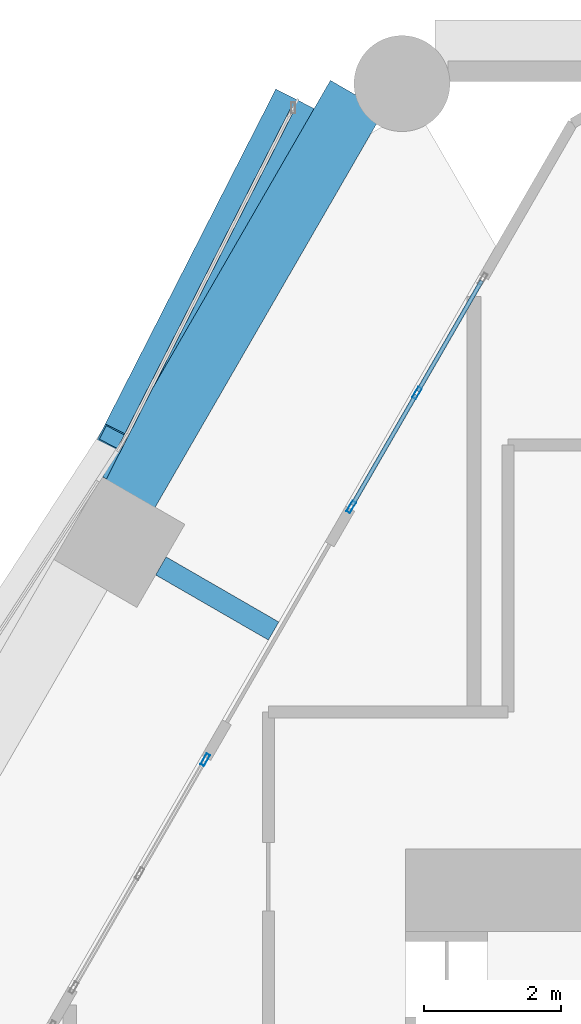
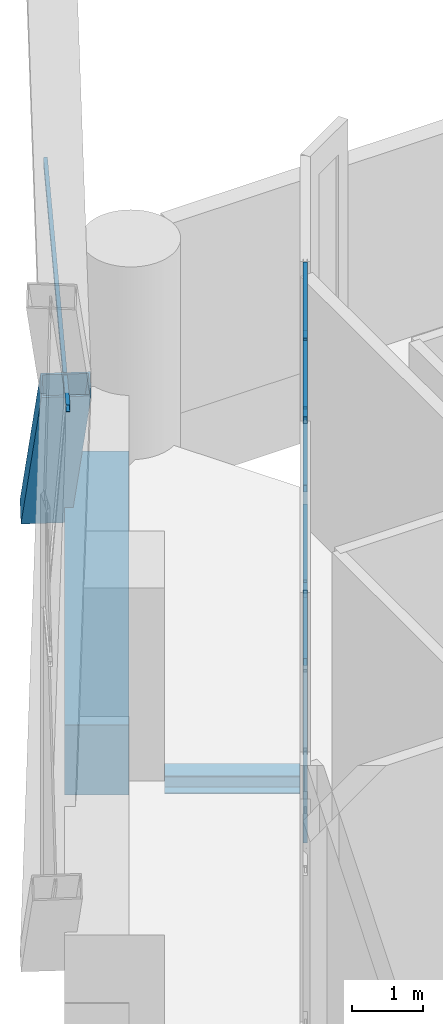
# One storey, part 27 of 46: 11 members, 2 beams, 3 elements without a shape of their own.
"""IFC4 building model written with IfcOpenShell, lengths in metres."""

from ifc_helpers import new_model, si_unit, direction, frame, origin, origin_2d, place, context, subcontext, project, spatial, rectangle, hollow_rectangle, i_section, extrude, material, material_profile, profile_set, type_object, element, aggregate, save


model = new_model("IFC4")

# Units and contexts
model_context = context("Model", 3, precision=1e-05, world=origin(), true_north=direction((0.0, 1.0)))
body_context = subcontext(model_context, "Body", "Model", "MODEL_VIEW")
ifc_project = project(units=[si_unit("LENGTHUNIT", "METRE"), si_unit("AREAUNIT", "SQUARE_METRE"), si_unit("VOLUMEUNIT", "CUBIC_METRE"), si_unit("PLANEANGLEUNIT", "RADIAN"), si_unit("MASSUNIT", "GRAM", prefix="KILO")], contexts=[model_context])

# Site, building, storey
site_placement = place(None, origin())
site = spatial("IfcSite", under=ifc_project, at=site_placement, CompositionType="ELEMENT")
building_placement = place(site_placement, origin())
building = spatial("IfcBuilding", under=site, at=building_placement, Name="Ostrander Bayou Hotel Tower", CompositionType="ELEMENT")
storey_placement = place(building_placement, frame((0.0, 0.0, 23.5)))
storey = spatial("IfcBuildingStorey", under=building, at=storey_placement, Name="L05", CompositionType="ELEMENT", Elevation=23.5)

# Curtain wall, member
ifc_material_1 = material(Name="Aluminium and clear glass", Category="aluminium")
curtain_wall_type_1 = type_object("IfcCurtainWallType", Name="CW-LAT lattice glazing", PredefinedType="NOTDEFINED", material=ifc_material_1)
curtain_wall_1_placement = place(storey_placement, origin())
curtain_wall_1 = element("IfcCurtainWall", 1, at=curtain_wall_1_placement, inside=storey, type_object=curtain_wall_type_1, Name="CW-LAT L05 NW 2", PredefinedType="NOTDEFINED")
ifc_material_2 = material(Name="Aluminium", Category="aluminium")
ifc_material_profile_1 = material_profile(ifc_material_2, hollow_rectangle(XDim=0.06005859375, YDim=0.1201171875, WallThickness=0.00390625, at=origin_2d()))
ifc_profile_set_1 = profile_set([ifc_material_profile_1], Name="Aluminium")
member_type_1 = type_object("IfcMemberType", Name="CW-LA transom 60 x 120 mm", PredefinedType="USERDEFINED", material=ifc_profile_set_1)
member_1_placement = place(storey_placement, frame((-13.637939453125, 20.5185546875, 5.39990234375), z_axis=(-0.45398127214, -0.891011225825, 0.0), x_axis=(0.891011225825, -0.45398127214, 0.0)))
member_1 = element("IfcMember", 2, at=member_1_placement, type_object=member_type_1, Name="CW-LAT transom 3", ObjectType="TRANSOM", PredefinedType="USERDEFINED", context=body_context, shape_type="SweptSolid", body=[
    extrude(hollow_rectangle(XDim=0.06005859375, YDim=0.1201171875, WallThickness=0.00390625, at=origin_2d()), origin(), (0.0, 0.0, 1.0), 6.0634765625),
])
aggregate(curtain_wall_1, [member_1])

# Curtain wall, members
ifc_material_3 = material(Name="Aluminium and clear glass", Category="aluminium")
curtain_wall_type_2 = type_object("IfcCurtainWallType", Name="CW-SKY amenity glass wall", PredefinedType="NOTDEFINED", material=ifc_material_3)
curtain_wall_2_placement = place(storey_placement, origin())
curtain_wall_2 = element("IfcCurtainWall", 3, at=curtain_wall_2_placement, inside=storey, type_object=curtain_wall_type_2, Name="CW-SKY L05 NW 1", PredefinedType="NOTDEFINED")
ifc_material_4 = material(Name="Aluminium", Category="aluminium")
ifc_material_profile_2 = material_profile(ifc_material_4, hollow_rectangle(XDim=0.06005859375, YDim=0.179931640625, WallThickness=0.00390625, at=origin_2d()))
ifc_profile_set_2 = profile_set([ifc_material_profile_2], Name="Aluminium")
member_type_2 = type_object("IfcMemberType", Name="CW-SK mullion 60 x 180 mm", PredefinedType="MULLION", material=ifc_profile_set_2)
member_2_placement = place(storey_placement, frame((-11.83154296875, 16.357177734375, 0.0), z_axis=(0.0, 0.0, 1.0), x_axis=(0.866025463091, -0.499999897278, 0.0)))
member_2 = element("IfcMember", 4, at=member_2_placement, type_object=member_type_2, Name="CW-SKY mullion 2", PredefinedType="MULLION", context=body_context, shape_type="SweptSolid", body=[
    extrude(hollow_rectangle(XDim=0.06005859375, YDim=0.179931640625, WallThickness=0.00390625, at=origin_2d()), origin(), (0.0, 0.0, 1.0), 4.199951171875),
])
member_3_placement = place(storey_placement, frame((-12.79150390625, 14.694580078125, 0.0), z_axis=(0.0, 0.0, 1.0), x_axis=(0.866025463091, -0.499999897278, 0.0)))
member_3 = element("IfcMember", 5, at=member_3_placement, type_object=member_type_2, Name="CW-SKY mullion 3", PredefinedType="MULLION", context=body_context, shape_type="SweptSolid", body=[
    extrude(hollow_rectangle(XDim=0.06005859375, YDim=0.179931640625, WallThickness=0.00390625, at=origin_2d()), origin(), (0.0, 0.0, 1.0), 4.199951171875),
])

# Curtain wall, member
curtain_wall_3_placement = place(storey_placement, origin())
curtain_wall_3 = element("IfcCurtainWall", 6, at=curtain_wall_3_placement, inside=storey, type_object=curtain_wall_type_2, Name="CW-SKY L05 NW 3", PredefinedType="NOTDEFINED")
member_4_placement = place(storey_placement, frame((-14.92138671875, 11.005126953125, 0.0), z_axis=(0.0, 0.0, 1.0), x_axis=(0.866025463091, -0.499999897278, 0.0)))
member_4 = element("IfcMember", 7, at=member_4_placement, type_object=member_type_2, Name="CW-SKY mullion 1", PredefinedType="MULLION", context=body_context, shape_type="SweptSolid", body=[
    extrude(hollow_rectangle(XDim=0.06005859375, YDim=0.179931640625, WallThickness=0.00390625, at=origin_2d()), origin(), (0.0, 0.0, 1.0), 4.199951171875),
])
aggregate(curtain_wall_3, [member_4])

# Member
ifc_material_5 = material(Name="Aluminium", Category="aluminium")
ifc_material_profile_3 = material_profile(ifc_material_5, hollow_rectangle(XDim=0.06005859375, YDim=0.1201171875, WallThickness=0.00390625, at=origin_2d()))
ifc_profile_set_3 = profile_set([ifc_material_profile_3], Name="Aluminium")
member_type_3 = type_object("IfcMemberType", Name="CW-SK transom 60 x 120 mm", PredefinedType="USERDEFINED", material=ifc_profile_set_3)
member_5_placement = place(storey_placement, frame((-10.886474609375, 17.994140625, 0.030029296875), z_axis=(-0.499964847546, -0.866045698112, 0.0), x_axis=(0.866045698112, -0.499964847546, 0.0)))
member_5 = element("IfcMember", 8, at=member_5_placement, type_object=member_type_3, Name="CW-SKY transom 1.1", ObjectType="TRANSOM", PredefinedType="USERDEFINED", context=body_context, shape_type="SweptSolid", body=[
    extrude(hollow_rectangle(XDim=0.06005859375, YDim=0.1201171875, WallThickness=0.00390625, at=origin_2d()), origin(), (0.0, 0.0, 1.0), 1.860107421875),
])

member_6_placement = place(storey_placement, frame((-10.886474609375, 17.994140625, 3.0), z_axis=(-0.499964847546, -0.866045698112, 0.0), x_axis=(0.866045698112, -0.499964847546, 0.0)))
member_6 = element("IfcMember", 9, at=member_6_placement, type_object=member_type_3, Name="CW-SKY transom 1.2", ObjectType="TRANSOM", PredefinedType="USERDEFINED", context=body_context, shape_type="SweptSolid", body=[
    extrude(hollow_rectangle(XDim=0.06005859375, YDim=0.1201171875, WallThickness=0.00390625, at=origin_2d()), origin(), (0.0, 0.0, 1.0), 1.860107421875),
])

member_7_placement = place(storey_placement, frame((-10.886474609375, 17.994140625, 4.169921875), z_axis=(-0.499964847546, -0.866045698112, 0.0), x_axis=(0.866045698112, -0.499964847546, 0.0)))
member_7 = element("IfcMember", 10, at=member_7_placement, type_object=member_type_3, Name="CW-SKY transom 1.3", ObjectType="TRANSOM", PredefinedType="USERDEFINED", context=body_context, shape_type="SweptSolid", body=[
    extrude(hollow_rectangle(XDim=0.06005859375, YDim=0.1201171875, WallThickness=0.00390625, at=origin_2d()), origin(), (0.0, 0.0, 1.0), 1.860107421875),
])

member_8_placement = place(storey_placement, frame((-11.846435546875, 16.331298828125, 0.030029296875), z_axis=(-0.500063286585, -0.865988862174, 0.0), x_axis=(0.865988862174, -0.500063286585, 0.0)))
member_8 = element("IfcMember", 11, at=member_8_placement, type_object=member_type_3, Name="CW-SKY transom 2.1", ObjectType="TRANSOM", PredefinedType="USERDEFINED", context=body_context, shape_type="SweptSolid", body=[
    extrude(hollow_rectangle(XDim=0.06005859375, YDim=0.1201171875, WallThickness=0.00390625, at=origin_2d()), origin(), (0.0, 0.0, 1.0), 1.860107421875),
])

member_9_placement = place(storey_placement, frame((-11.846435546875, 16.331298828125, 3.0), z_axis=(-0.500063286585, -0.865988862174, 0.0), x_axis=(0.865988862174, -0.500063286585, 0.0)))
member_9 = element("IfcMember", 12, at=member_9_placement, type_object=member_type_3, Name="CW-SKY transom 2.2", ObjectType="TRANSOM", PredefinedType="USERDEFINED", context=body_context, shape_type="SweptSolid", body=[
    extrude(hollow_rectangle(XDim=0.06005859375, YDim=0.1201171875, WallThickness=0.00390625, at=origin_2d()), origin(), (0.0, 0.0, 1.0), 1.860107421875),
])

member_10_placement = place(storey_placement, frame((-11.846435546875, 16.331298828125, 4.169921875), z_axis=(-0.500063286585, -0.865988862174, 0.0), x_axis=(0.865988862174, -0.500063286585, 0.0)))
member_10 = element("IfcMember", 13, at=member_10_placement, type_object=member_type_3, Name="CW-SKY transom 2.3", ObjectType="TRANSOM", PredefinedType="USERDEFINED", context=body_context, shape_type="SweptSolid", body=[
    extrude(hollow_rectangle(XDim=0.06005859375, YDim=0.1201171875, WallThickness=0.00390625, at=origin_2d()), origin(), (0.0, 0.0, 1.0), 1.860107421875),
])

aggregate(curtain_wall_2, [member_2, member_3, member_5, member_6, member_7, member_8, member_9, member_10])

# Beam
ifc_material_6 = material(Name="Steel ASTM A992", Category="steel")
ifc_material_profile_4 = material_profile(ifc_material_6, i_section(OverallWidth=0.3046875, OverallDepth=0.307861328125, WebThickness=0.010009765625, FlangeThickness=0.015380859375, at=origin_2d()))
ifc_profile_set_4 = profile_set([ifc_material_profile_4], Name="Steel ASTM A992")
beam_type_1 = type_object("IfcBeamType", Name="LB1 loggia bracket W12x65", PredefinedType="BEAM", material=ifc_profile_set_4)
beam_1_placement = place(storey_placement, frame((-15.569091796875, 13.833251953125, -0.453857421875), z_axis=(0.86601224135, -0.500022797313, 0.0), x_axis=(0.500022797313, 0.86601224135, 0.0)))
element("IfcBeam", 14, at=beam_1_placement, inside=storey, type_object=beam_type_1, Name="LB1 L05 NW1", PredefinedType="BEAM", context=body_context, shape_type="SweptSolid", body=[
    extrude(i_section(OverallWidth=0.3046875, OverallDepth=0.307861328125, WebThickness=0.010009765625, FlangeThickness=0.015380859375, at=origin_2d()), origin(), (0.0, 0.0, 1.0), 1.89990234375),
])

# Member
ifc_material_7 = material(Name="Steel ASTM A572 Gr 50", Category="steel")
ifc_material_profile_5 = material_profile(ifc_material_7, hollow_rectangle(XDim=0.699951171875, YDim=0.35009765625, WallThickness=0.02490234375, at=origin_2d()))
ifc_profile_set_5 = profile_set([ifc_material_profile_5], Name="Steel ASTM A572 Gr 50")
member_type_4 = type_object("IfcMemberType", Name="LT1 lattice member box 700 x 350 x 25 mm", PredefinedType="BRACE", material=ifc_profile_set_5)
member_11_placement = place(storey_placement, frame((-16.126953125, 15.63330078125, 5.39990234375), z_axis=(0.306235162835, 0.60105596943, -0.738208471), x_axis=(-0.891017407703, 0.453969139007, 0.0)))
element("IfcMember", 15, at=member_11_placement, inside=storey, type_object=member_type_4, Name="LT1 L05 NW 1", PredefinedType="BRACE", context=body_context, shape_type="SweptSolid", body=[
    extrude(hollow_rectangle(XDim=0.699951171875, YDim=0.35009765625, WallThickness=0.02490234375, at=origin_2d()), origin(), (0.0, 0.0, 1.0), 8.127685546875),
])

# Beam
ifc_material_8 = material(Name="Concrete f'c 70 MPa", Category="concrete")
ifc_material_profile_6 = material_profile(ifc_material_8, rectangle(XDim=0.89990234375, YDim=1.199951171875, at=origin_2d()))
ifc_profile_set_6 = profile_set([ifc_material_profile_6], Name="Concrete f'c 70 MPa")
beam_type_2 = type_object("IfcBeamType", Name="SP1 spandrel beam 900 x 1200 mm f'c 70 MPa", PredefinedType="SPANDREL", material=ifc_profile_set_6)
beam_2_placement = place(storey_placement, frame((-12.705078125, 20.694091796875, -0.60009765625), z_axis=(-0.500005133765, -0.866022439784, 0.0), x_axis=(0.866022439784, -0.500005133765, 0.0)))
element("IfcBeam", 16, at=beam_2_placement, inside=storey, type_object=beam_type_2, Name="SP1 L05 NW-1", PredefinedType="SPANDREL", context=body_context, shape_type="SweptSolid", body=[
    extrude(rectangle(XDim=0.89990234375, YDim=1.199951171875, at=origin_2d()), origin(), (0.0, 0.0, 1.0), 6.70361328125),
])

save(model, "model.ifc")
